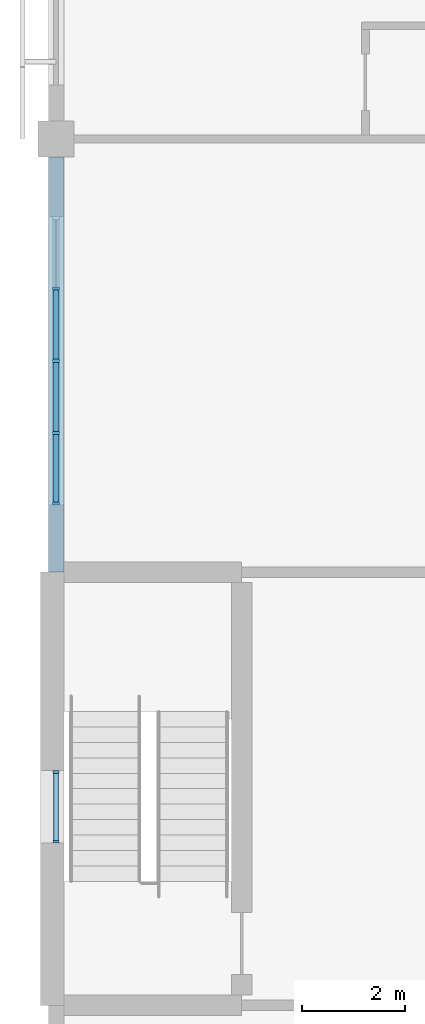
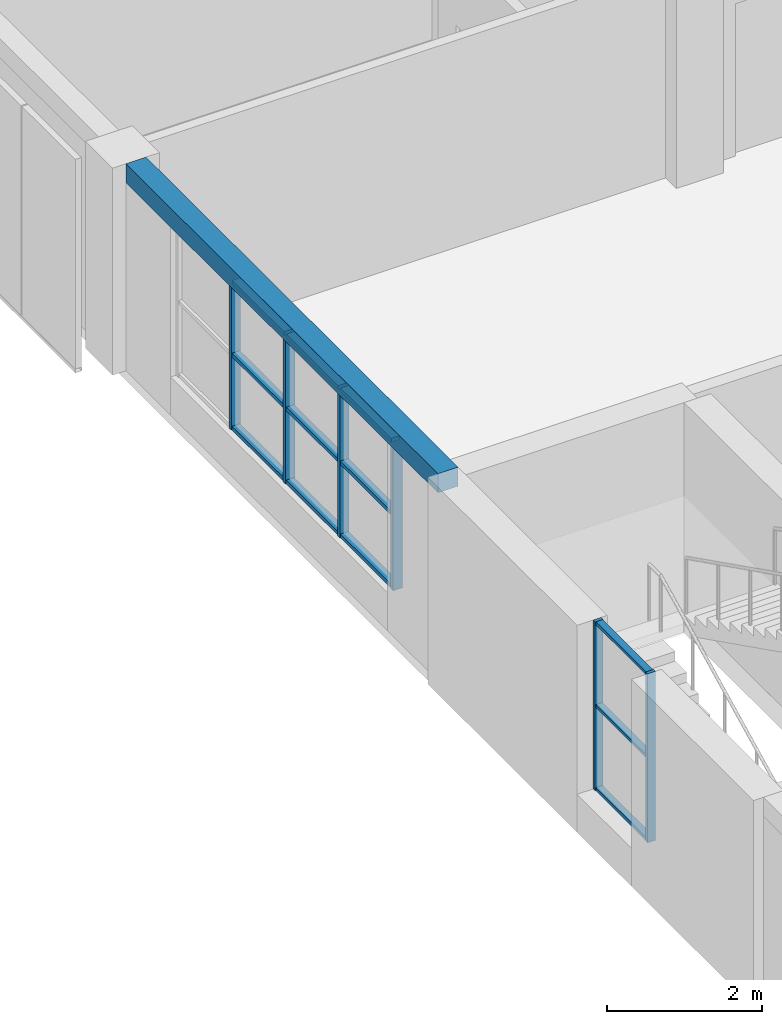
# One storey, part 3 of 61: 18 members, 1 beam, 2 elements without a shape of their own.
"""IFC4 building model written with IfcOpenShell, lengths in metres."""

from ifc_helpers import new_model, si_unit, direction, frame, origin, origin_2d, place, context, subcontext, project, spatial, rectangle, extrude, material, material_profile, profile_set, type_object, element, aggregate, save


model = new_model("IFC4")

# Units and contexts
model_context = context("Model", 3, precision=1e-05, world=origin(), true_north=direction((0.0, 1.0)))
body_context = subcontext(model_context, "Body", "Model", "MODEL_VIEW")
ifc_project = project(units=[si_unit("LENGTHUNIT", "METRE"), si_unit("AREAUNIT", "SQUARE_METRE"), si_unit("VOLUMEUNIT", "CUBIC_METRE"), si_unit("PLANEANGLEUNIT", "RADIAN"), si_unit("MASSUNIT", "GRAM", prefix="KILO")], contexts=[model_context])

# Site, building, storey
site_placement = place(None, origin())
site = spatial("IfcSite", under=ifc_project, at=site_placement, CompositionType="ELEMENT")
building_placement = place(site_placement, origin())
building = spatial("IfcBuilding", under=site, at=building_placement, Name="Yavir Park General Hospital", CompositionType="ELEMENT")
storey_placement = place(building_placement, frame((0.0, 0.0, 15.300048828125)))
storey = spatial("IfcBuildingStorey", under=building, at=storey_placement, Name="L03", CompositionType="ELEMENT", Elevation=15.300048828125)

# Curtain wall, members
ifc_material_1 = material(Name="Aluminium curtain wall frame with insulated glazing", Category="aluminium")
curtain_wall_type_1 = type_object("IfcCurtainWallType", Name="Day room pocket glazing, ward floors, 2360 high, 1400 module", PredefinedType="NOTDEFINED", material=ifc_material_1)
curtain_wall_1_placement = place(storey_placement, origin())
curtain_wall_1 = element("IfcCurtainWall", 1, at=curtain_wall_1_placement, inside=storey, type_object=curtain_wall_type_1, Name="CW6 L03-017", PredefinedType="NOTDEFINED")
ifc_material_2 = material(Name="Aluminium", Category="aluminium")
ifc_material_profile_1 = material_profile(ifc_material_2, rectangle(XDim=0.139892578125, YDim=0.06005859375, at=origin_2d()), Name="AL 60x140")
ifc_profile_set_1 = profile_set([ifc_material_profile_1], Name="Aluminium")
member_type_1 = type_object("IfcMemberType", Name="Day room pocket glazing, ward floors, 2360 high mullion 60 x 140", PredefinedType="MULLION", material=ifc_profile_set_1)
member_1_placement = place(storey_placement, frame((0.0, 26.530029296875, 0.599853515625), z_axis=(0.0, 0.0, 1.0), x_axis=(-1.0, 0.0, 0.0)))
member_1 = element("IfcMember", 2, at=member_1_placement, type_object=member_type_1, Name="CW6 mullion 1", PredefinedType="MULLION", context=body_context, shape_type="SweptSolid", body=[
    extrude(rectangle(XDim=0.139892578125, YDim=0.06005859375, at=origin_2d()), origin(), (0.0, 0.0, 1.0), 2.360107421875),
])
member_2_placement = place(storey_placement, frame((0.0, 27.89990234375, 0.599853515625), z_axis=(0.0, 0.0, 1.0), x_axis=(-1.0, 0.0, 0.0)))
member_2 = element("IfcMember", 3, at=member_2_placement, type_object=member_type_1, Name="CW6 mullion 2", PredefinedType="MULLION", context=body_context, shape_type="SweptSolid", body=[
    extrude(rectangle(XDim=0.139892578125, YDim=0.06005859375, at=origin_2d()), origin(), (0.0, 0.0, 1.0), 2.360107421875),
])
member_3_placement = place(storey_placement, frame((0.0, 29.300048828125, 0.599853515625), z_axis=(0.0, 0.0, 1.0), x_axis=(-1.0, 0.0, 0.0)))
member_3 = element("IfcMember", 4, at=member_3_placement, type_object=member_type_1, Name="CW6 mullion 3", PredefinedType="MULLION", context=body_context, shape_type="SweptSolid", body=[
    extrude(rectangle(XDim=0.139892578125, YDim=0.06005859375, at=origin_2d()), origin(), (0.0, 0.0, 1.0), 2.360107421875),
])
member_4_placement = place(storey_placement, frame((0.0, 30.699951171875, 0.599853515625), z_axis=(0.0, 0.0, 1.0), x_axis=(-1.0, 0.0, 0.0)))
member_4 = element("IfcMember", 5, at=member_4_placement, type_object=member_type_1, Name="CW6 mullion 4", PredefinedType="MULLION", context=body_context, shape_type="SweptSolid", body=[
    extrude(rectangle(XDim=0.139892578125, YDim=0.06005859375, at=origin_2d()), origin(), (0.0, 0.0, 1.0), 2.360107421875),
])
ifc_material_3 = material(Name="Aluminium", Category="aluminium")
ifc_material_profile_2 = material_profile(ifc_material_3, rectangle(XDim=0.1201171875, YDim=0.06005859375, at=origin_2d()), Name="AL 120x60")
ifc_profile_set_2 = profile_set([ifc_material_profile_2], Name="Aluminium")
member_type_2 = type_object("IfcMemberType", Name="Day room pocket glazing, ward floors, 2360 high transom 60 x 120", PredefinedType="MULLION", material=ifc_profile_set_2)
member_5_placement = place(storey_placement, frame((0.0, 26.56005859375, 0.6298828125), z_axis=(0.0, 1.0, 0.0), x_axis=(-1.0, 0.0, 0.0)))
member_5 = element("IfcMember", 6, at=member_5_placement, type_object=member_type_2, Name="CW6 transom 1.1", PredefinedType="MULLION", context=body_context, shape_type="SweptSolid", body=[
    extrude(rectangle(XDim=0.1201171875, YDim=0.06005859375, at=origin_2d()), origin(), (0.0, 0.0, 1.0), 1.31005859375),
])
member_6_placement = place(storey_placement, frame((0.0, 26.56005859375, 1.780029296875), z_axis=(0.0, 1.0, 0.0), x_axis=(-1.0, 0.0, 0.0)))
member_6 = element("IfcMember", 7, at=member_6_placement, type_object=member_type_2, Name="CW6 transom 1.2", PredefinedType="MULLION", context=body_context, shape_type="SweptSolid", body=[
    extrude(rectangle(XDim=0.1201171875, YDim=0.06005859375, at=origin_2d()), origin(), (0.0, 0.0, 1.0), 1.31005859375),
])
member_7_placement = place(storey_placement, frame((0.0, 26.56005859375, 2.929931640625), z_axis=(0.0, 1.0, 0.0), x_axis=(-1.0, 0.0, 0.0)))
member_7 = element("IfcMember", 8, at=member_7_placement, type_object=member_type_2, Name="CW6 transom 1.3", PredefinedType="MULLION", context=body_context, shape_type="SweptSolid", body=[
    extrude(rectangle(XDim=0.1201171875, YDim=0.06005859375, at=origin_2d()), origin(), (0.0, 0.0, 1.0), 1.31005859375),
])
member_8_placement = place(storey_placement, frame((0.0, 27.929931640625, 0.6298828125), z_axis=(0.0, 1.0, 0.0), x_axis=(-1.0, 0.0, 0.0)))
member_8 = element("IfcMember", 9, at=member_8_placement, type_object=member_type_2, Name="CW6 transom 2.1", PredefinedType="MULLION", context=body_context, shape_type="SweptSolid", body=[
    extrude(rectangle(XDim=0.1201171875, YDim=0.06005859375, at=origin_2d()), origin(), (0.0, 0.0, 1.0), 1.340087890625),
])
member_9_placement = place(storey_placement, frame((0.0, 27.929931640625, 1.780029296875), z_axis=(0.0, 1.0, 0.0), x_axis=(-1.0, 0.0, 0.0)))
member_9 = element("IfcMember", 10, at=member_9_placement, type_object=member_type_2, Name="CW6 transom 2.2", PredefinedType="MULLION", context=body_context, shape_type="SweptSolid", body=[
    extrude(rectangle(XDim=0.1201171875, YDim=0.06005859375, at=origin_2d()), origin(), (0.0, 0.0, 1.0), 1.340087890625),
])
member_10_placement = place(storey_placement, frame((0.0, 27.929931640625, 2.929931640625), z_axis=(0.0, 1.0, 0.0), x_axis=(-1.0, 0.0, 0.0)))
member_10 = element("IfcMember", 11, at=member_10_placement, type_object=member_type_2, Name="CW6 transom 2.3", PredefinedType="MULLION", context=body_context, shape_type="SweptSolid", body=[
    extrude(rectangle(XDim=0.1201171875, YDim=0.06005859375, at=origin_2d()), origin(), (0.0, 0.0, 1.0), 1.340087890625),
])
member_11_placement = place(storey_placement, frame((0.0, 29.330078125, 0.6298828125), z_axis=(0.0, 1.0, 0.0), x_axis=(-1.0, 0.0, 0.0)))
member_11 = element("IfcMember", 12, at=member_11_placement, type_object=member_type_2, Name="CW6 transom 3.1", PredefinedType="MULLION", context=body_context, shape_type="SweptSolid", body=[
    extrude(rectangle(XDim=0.1201171875, YDim=0.06005859375, at=origin_2d()), origin(), (0.0, 0.0, 1.0), 1.33984375),
])
member_12_placement = place(storey_placement, frame((0.0, 29.330078125, 1.780029296875), z_axis=(0.0, 1.0, 0.0), x_axis=(-1.0, 0.0, 0.0)))
member_12 = element("IfcMember", 13, at=member_12_placement, type_object=member_type_2, Name="CW6 transom 3.2", PredefinedType="MULLION", context=body_context, shape_type="SweptSolid", body=[
    extrude(rectangle(XDim=0.1201171875, YDim=0.06005859375, at=origin_2d()), origin(), (0.0, 0.0, 1.0), 1.33984375),
])
member_13_placement = place(storey_placement, frame((0.0, 29.330078125, 2.929931640625), z_axis=(0.0, 1.0, 0.0), x_axis=(-1.0, 0.0, 0.0)))
member_13 = element("IfcMember", 14, at=member_13_placement, type_object=member_type_2, Name="CW6 transom 3.3", PredefinedType="MULLION", context=body_context, shape_type="SweptSolid", body=[
    extrude(rectangle(XDim=0.1201171875, YDim=0.06005859375, at=origin_2d()), origin(), (0.0, 0.0, 1.0), 1.33984375),
])
aggregate(curtain_wall_1, [member_1, member_2, member_3, member_4, member_5, member_6, member_7, member_8, member_9, member_10, member_11, member_12, member_13])

# Beam
ifc_material_4 = material(Name="Concrete C35/45", Category="concrete")
ifc_material_profile_3 = material_profile(ifc_material_4, rectangle(XDim=0.300048828125, YDim=0.300048828125, at=origin_2d()), Name="RC300x300")
ifc_profile_set_3 = profile_set([ifc_material_profile_3], Name="Concrete C35/45")
beam_type = type_object("IfcBeamType", Name="RC BEAM 300x300 edge beam", PredefinedType="BEAM", material=ifc_profile_set_3)
beam_placement = place(storey_placement, frame((0.0, 25.199951171875, 3.10986328125), z_axis=(0.0, 1.0, 0.0), x_axis=(-1.0, 0.0, 0.0)))
element("IfcBeam", 15, at=beam_placement, inside=storey, type_object=beam_type, Name="B:EDGE:L03:018", PredefinedType="BEAM", context=body_context, shape_type="SweptSolid", body=[
    extrude(rectangle(XDim=0.300048828125, YDim=0.300048828125, at=origin_2d()), origin(), (0.0, 0.0, 1.0), 8.050048828125),
])

# Curtain wall, members
ifc_material_5 = material(Name="Aluminium curtain wall frame with insulated glazing", Category="aluminium")
curtain_wall_type_2 = type_object("IfcCurtainWallType", Name="Stair light slot, ward floors, 2660 high, 1400 module", PredefinedType="NOTDEFINED", material=ifc_material_5)
curtain_wall_2_placement = place(storey_placement, origin())
curtain_wall_2 = element("IfcCurtainWall", 16, at=curtain_wall_2_placement, inside=storey, type_object=curtain_wall_type_2, Name="CW10 L03-016", PredefinedType="NOTDEFINED")
ifc_material_6 = material(Name="Aluminium", Category="aluminium")
ifc_material_profile_4 = material_profile(ifc_material_6, rectangle(XDim=0.1201171875, YDim=0.050048828125, at=origin_2d()), Name="AL 50x120")
ifc_profile_set_4 = profile_set([ifc_material_profile_4], Name="Aluminium")
member_type_3 = type_object("IfcMemberType", Name="Stair light slot, ward floors, 2660 high mullion 50 x 120", PredefinedType="MULLION", material=ifc_profile_set_4)
member_14_placement = place(storey_placement, frame((0.0, 19.97509765625, 0.599853515625), z_axis=(0.0, 0.0, 1.0), x_axis=(-1.0, 0.0, 0.0)))
member_14 = element("IfcMember", 17, at=member_14_placement, type_object=member_type_3, Name="CW10 mullion 1", PredefinedType="MULLION", context=body_context, shape_type="SweptSolid", body=[
    extrude(rectangle(XDim=0.1201171875, YDim=0.050048828125, at=origin_2d()), origin(), (0.0, 0.0, 1.0), 2.66015625),
])
member_15_placement = place(storey_placement, frame((0.0, 21.324951171875, 0.599853515625), z_axis=(0.0, 0.0, 1.0), x_axis=(-1.0, 0.0, 0.0)))
member_15 = element("IfcMember", 18, at=member_15_placement, type_object=member_type_3, Name="CW10 mullion 2", PredefinedType="MULLION", context=body_context, shape_type="SweptSolid", body=[
    extrude(rectangle(XDim=0.1201171875, YDim=0.050048828125, at=origin_2d()), origin(), (0.0, 0.0, 1.0), 2.66015625),
])
ifc_material_7 = material(Name="Aluminium", Category="aluminium")
ifc_material_profile_5 = material_profile(ifc_material_7, rectangle(XDim=0.10009765625, YDim=0.050048828125, at=origin_2d()), Name="AL 100x50")
ifc_profile_set_5 = profile_set([ifc_material_profile_5], Name="Aluminium")
member_type_4 = type_object("IfcMemberType", Name="Stair light slot, ward floors, 2660 high transom 50 x 100", PredefinedType="MULLION", material=ifc_profile_set_5)
member_16_placement = place(storey_placement, frame((0.0, 20.0, 0.625), z_axis=(0.0, 1.0, 0.0), x_axis=(-1.0, 0.0, 0.0)))
member_16 = element("IfcMember", 19, at=member_16_placement, type_object=member_type_4, Name="CW10 transom 1.1", PredefinedType="MULLION", context=body_context, shape_type="SweptSolid", body=[
    extrude(rectangle(XDim=0.10009765625, YDim=0.050048828125, at=origin_2d()), origin(), (0.0, 0.0, 1.0), 1.300048828125),
])
member_17_placement = place(storey_placement, frame((0.0, 20.0, 1.929931640625), z_axis=(0.0, 1.0, 0.0), x_axis=(-1.0, 0.0, 0.0)))
member_17 = element("IfcMember", 20, at=member_17_placement, type_object=member_type_4, Name="CW10 transom 1.2", PredefinedType="MULLION", context=body_context, shape_type="SweptSolid", body=[
    extrude(rectangle(XDim=0.10009765625, YDim=0.050048828125, at=origin_2d()), origin(), (0.0, 0.0, 1.0), 1.300048828125),
])
member_18_placement = place(storey_placement, frame((0.0, 20.0, 3.23486328125), z_axis=(0.0, 1.0, 0.0), x_axis=(-1.0, 0.0, 0.0)))
member_18 = element("IfcMember", 21, at=member_18_placement, type_object=member_type_4, Name="CW10 transom 1.3", PredefinedType="MULLION", context=body_context, shape_type="SweptSolid", body=[
    extrude(rectangle(XDim=0.10009765625, YDim=0.050048828125, at=origin_2d()), origin(), (0.0, 0.0, 1.0), 1.300048828125),
])
aggregate(curtain_wall_2, [member_14, member_15, member_16, member_17, member_18])

save(model, "model.ifc")
